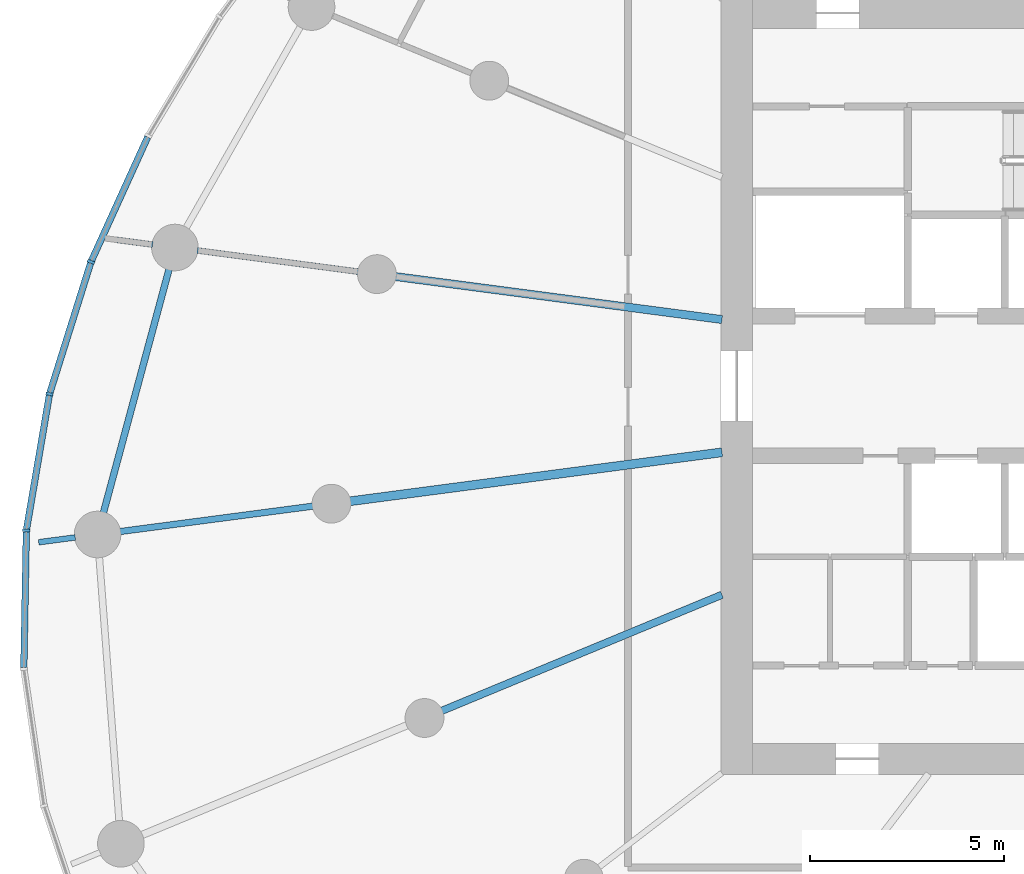
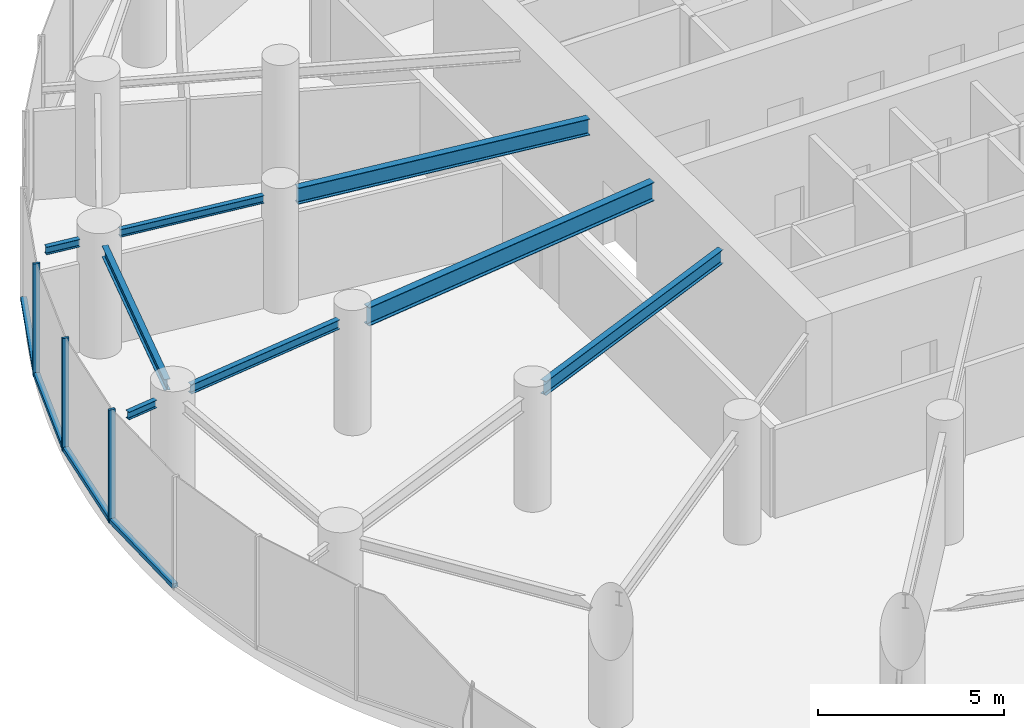
# One storey, part 3 of 18: 8 beams, 7 members, 1 element without a shape of its own.
"""IFC4 building model written with IfcOpenShell, lengths in metres."""

import ifcopenshell
import ifcopenshell.guid

model = None  # the IFC model being written
_history = None  # IfcOwnerHistory: only IFC2X3 demands one
_inside = {}  # id of a spatial element -> (the spatial element, [elements in it])
_under = {}  # id of a project, library or spatial element -> (it, [spatial elements below it])
_declared = {}  # id of a project -> (the project, [libraries it declares])
_typed = {}  # id of a type object -> (the type object, [elements of that type])
_made_of = {}  # id of a material, layer set ... -> (it, [elements and type objects made of it])


def new_model(schema):
    """Start an empty IFC model of exactly this schema.

    Asked for "IFC4X3", IfcOpenShell would pick the latest addendum, in which some entities
    have other attributes; the version numbers below select the first issue.
    IFC2X3 requires an IfcOwnerHistory on every rooted entity: one is made here for all.
    """
    global model, _history
    if schema == "IFC4X3":
        model = ifcopenshell.file(schema_version=(4, 3, 0, 0))
    else:
        model = ifcopenshell.file(schema=schema)
    _inside.clear()
    _under.clear()
    _declared.clear()
    _typed.clear()
    _made_of.clear()
    _history = None
    if model.schema == "IFC2X3":
        org = make("IfcOrganization", Name="unknown")
        user = make(
            "IfcPersonAndOrganization",
            ThePerson=make("IfcPerson", FamilyName="unknown"),
            TheOrganization=org,
        )
        app = make(
            "IfcApplication",
            ApplicationDeveloper=org,
            Version="unknown",
            ApplicationFullName="unknown",
            ApplicationIdentifier="unknown",
        )
        _history = make(
            "IfcOwnerHistory",
            OwningUser=user,
            OwningApplication=app,
            ChangeAction="ADDED",
            CreationDate=0,
        )
    return model


def make(cls, **values):
    """One entity of the class cls with the attributes given. An attribute that is None is left unset."""
    return model.create_entity(
        cls, **{name: value for name, value in values.items() if value is not None}
    )


def rooted(cls, **values):
    """An entity with a GlobalId (a new one), such as an element, a storey or a relation."""
    return make(cls, GlobalId=ifcopenshell.guid.new(), OwnerHistory=_history, **values)


def si_unit(unit_type, name, prefix=None):
    """IfcSIUnit, for example si_unit("LENGTHUNIT", "METRE", prefix="MILLI")."""
    return make("IfcSIUnit", UnitType=unit_type, Prefix=prefix, Name=name)


def assignment(units):
    """IfcUnitAssignment: the units of a project."""
    return None if units is None else make("IfcUnitAssignment", Units=units)


def point(xyz):
    """IfcCartesianPoint."""
    return None if xyz is None else make("IfcCartesianPoint", Coordinates=xyz)


def direction(xyz):
    """IfcDirection."""
    return None if xyz is None else make("IfcDirection", DirectionRatios=xyz)


def frame(location, z_axis=None, x_axis=None):
    """IfcAxis2Placement3D, a coordinate frame: its origin and axes. An axis left out is left unset."""
    return make(
        "IfcAxis2Placement3D",
        Location=point(location),
        Axis=direction(z_axis),
        RefDirection=direction(x_axis),
    )


def frame_2d(location, x_axis=None):
    """IfcAxis2Placement2D, a coordinate frame in the plane: its origin and x axis."""
    return make(
        "IfcAxis2Placement2D", Location=point(location), RefDirection=direction(x_axis)
    )


def origin():
    """The frame at (0, 0, 0) with its axes left unset."""
    return frame((0.0, 0.0, 0.0))


def origin_2d():
    """The frame at (0, 0) in the plane with its x axis left unset."""
    return frame_2d((0.0, 0.0))


def place(relative_to, where):
    """IfcLocalPlacement: puts the frame where relative to a parent placement (None: the world)."""
    return make(
        "IfcLocalPlacement", PlacementRelTo=relative_to, RelativePlacement=where
    )


def context(
    kind, dimensions, precision=None, world=None, true_north=None, identifier=None
):
    """IfcGeometricRepresentationContext, for example the 3D "Model" context."""
    return make(
        "IfcGeometricRepresentationContext",
        ContextIdentifier=identifier,
        ContextType=kind,
        CoordinateSpaceDimension=dimensions,
        Precision=precision,
        WorldCoordinateSystem=world,
        TrueNorth=true_north,
    )


def subcontext(parent, identifier, kind, view, scale=None):
    """IfcGeometricRepresentationSubContext, for example "Body" below "Model"."""
    return make(
        "IfcGeometricRepresentationSubContext",
        ContextIdentifier=identifier,
        ContextType=kind,
        ParentContext=parent,
        TargetScale=scale,
        TargetView=view,
    )


def project(units=None, contexts=None):
    """IfcProject with its units and contexts."""
    return rooted(
        "IfcProject",
        Name="project",
        RepresentationContexts=contexts,
        UnitsInContext=assignment(units),
    )


def spatial(cls, under=None, at=None, **own):
    """A site, building, storey or space (cls), placed at a placement, below another one or the project."""
    s = rooted(cls, ObjectPlacement=at, **own)
    if under is not None:
        _under.setdefault(under.id(), (under, []))[1].append(s)
    return s


def profile(cls, at=None, kind="AREA", **sizes):
    """A parametric profile (cls). Its sizes go by their IFC names, for example OverallWidth=200.0."""
    return make(cls, ProfileType=kind, Position=at, **sizes)


def rectangle(**sizes):
    """IfcRectangleProfileDef."""
    return profile("IfcRectangleProfileDef", **sizes)


def i_section(**sizes):
    """IfcIShapeProfileDef."""
    return profile("IfcIShapeProfileDef", **sizes)


def extrude(swept, where, along, depth):
    """IfcExtrudedAreaSolid: the profile swept, set in the frame where, extruded along a direction by depth."""
    return make(
        "IfcExtrudedAreaSolid",
        SweptArea=swept,
        Position=where,
        ExtrudedDirection=direction(along),
        Depth=depth,
    )


def shape(context_of_items, identifier, shape_type, items):
    """IfcShapeRepresentation: the items that make up one representation, for example the "Body"."""
    return make(
        "IfcShapeRepresentation",
        ContextOfItems=context_of_items,
        RepresentationIdentifier=identifier,
        RepresentationType=shape_type,
        Items=items,
    )


def source(mapping_origin, context_of_items, identifier, shape_type, items):
    """IfcRepresentationMap: a shape defined once, which mapped items show again and again."""
    return make(
        "IfcRepresentationMap",
        MappingOrigin=mapping_origin,
        MappedRepresentation=shape(context_of_items, identifier, shape_type, items),
    )


def transform(
    local_origin,
    x_axis=None,
    y_axis=None,
    z_axis=None,
    scale=None,
    scale2=None,
    scale3=None,
    uniform=True,
):
    """IfcCartesianTransformationOperator3D, or its non-uniform kind. x_axis, y_axis, z_axis: its Axis1, 2, 3."""
    if uniform:
        return make(
            "IfcCartesianTransformationOperator3D",
            Axis1=direction(x_axis),
            Axis2=direction(y_axis),
            LocalOrigin=point(local_origin),
            Scale=scale,
            Axis3=direction(z_axis),
        )
    return make(
        "IfcCartesianTransformationOperator3DnonUniform",
        Axis1=direction(x_axis),
        Axis2=direction(y_axis),
        LocalOrigin=point(local_origin),
        Scale=scale,
        Axis3=direction(z_axis),
        Scale2=scale2,
        Scale3=scale3,
    )


def mapped(mapping_source, mapping_target):
    """IfcMappedItem: shows the shape of a source again, moved by a transform."""
    return make(
        "IfcMappedItem", MappingSource=mapping_source, MappingTarget=mapping_target
    )


def material(Name=None, Category=None):
    """IfcMaterial."""
    return make("IfcMaterial", Name=Name, Category=Category)


def layer(
    of_material, thickness, ventilated=None, Name=None, Category=None, Priority=None
):
    """IfcMaterialLayer: one layer of a wall or slab, of a material (None: an air gap)."""
    return make(
        "IfcMaterialLayer",
        Material=of_material,
        LayerThickness=thickness,
        IsVentilated=ventilated,
        Name=Name,
        Category=Category,
        Priority=Priority,
    )


def layer_set(layers, Name=None):
    """IfcMaterialLayerSet."""
    return make("IfcMaterialLayerSet", MaterialLayers=layers, LayerSetName=Name)


def material_profile(
    of_material, cross_section, Name=None, Category=None, Priority=None
):
    """IfcMaterialProfile: a cross section and its material."""
    return make(
        "IfcMaterialProfile",
        Name=Name,
        Material=of_material,
        Profile=cross_section,
        Priority=Priority,
        Category=Category,
    )


def profile_set(profiles, Name=None, composite=None):
    """IfcMaterialProfileSet."""
    return make(
        "IfcMaterialProfileSet",
        Name=Name,
        MaterialProfiles=profiles,
        CompositeProfile=composite,
    )


def made_of(thing, what):
    """Note that an element or type object is made of a material, layer set ...; save() writes the relation."""
    if what is not None:
        _made_of.setdefault(what.id(), (what, []))[1].append(thing)
    return thing


def type_object(cls, material=None, **own):
    """A type object (cls), such as IfcWallType, which elements share."""
    return made_of(rooted(cls, **own), material)


def element(
    cls,
    number,
    at=None,
    inside=None,
    cuts=None,
    type_object=None,
    material=None,
    context=None,
    identifier="Body",
    shape_type=None,
    held_by="IfcProductDefinitionShape",
    body=None,
    shapes=None,
    **own,
):
    """One element of the class cls, such as IfcWall. Its Tag is "e" and its number.

    at: its placement. inside: the storey or other place that contains it. cuts: it is an
    opening in that element (IfcRelVoidsElement). A single representation is given by context,
    identifier, shape_type and body (its items); several are given by shapes. held_by: the class
    of the entity that holds the representations. save() writes the other relations.
    """
    e = rooted(cls, Tag="e%d" % number, ObjectPlacement=at, **own)
    if body is not None:
        shapes = [shape(context, identifier, shape_type, body)]
    if shapes is not None:
        e.Representation = make(held_by, Representations=shapes)
    if inside is not None:
        _inside.setdefault(inside.id(), (inside, []))[1].append(e)
    if cuts is not None:
        rooted(
            "IfcRelVoidsElement", RelatingBuildingElement=cuts, RelatedOpeningElement=e
        )
    if type_object is not None:
        _typed.setdefault(type_object.id(), (type_object, []))[1].append(e)
    return made_of(e, material)


def aggregate(whole, parts):
    """IfcRelAggregates: a whole, such as a stair, and the parts it consists of."""
    return rooted("IfcRelAggregates", RelatingObject=whole, RelatedObjects=parts)


def save(model, path):
    """Write the relations noted so far, then the file.

    IfcRelAggregates (storeys below a building ...), IfcRelContainedInSpatialStructure (elements
    in a storey), IfcRelDefinesByType, IfcRelAssociatesMaterial and IfcRelDeclares: one each for
    every whole, place, type object, material and project.
    """
    for whole, parts in _under.values():
        aggregate(whole, parts)
    for where, things in _inside.values():
        rooted(
            "IfcRelContainedInSpatialStructure",
            RelatedElements=things,
            RelatingStructure=where,
        )
    for kind, things in _typed.values():
        rooted("IfcRelDefinesByType", RelatedObjects=things, RelatingType=kind)
    for what, things in _made_of.values():
        rooted("IfcRelAssociatesMaterial", RelatedObjects=things, RelatingMaterial=what)
    for by, libraries in _declared.values():
        rooted("IfcRelDeclares", RelatingContext=by, RelatedDefinitions=libraries)
    model.write(path)


model = new_model("IFC4")

# Units and contexts
model_context = context("Model", 3, precision=1e-05, world=origin(), true_north=direction((0.0, 1.0)))
body_context = subcontext(model_context, "Body", "Model", "MODEL_VIEW")
ifc_project = project(units=[si_unit("LENGTHUNIT", "METRE"), si_unit("AREAUNIT", "SQUARE_METRE"), si_unit("VOLUMEUNIT", "CUBIC_METRE"), si_unit("PLANEANGLEUNIT", "RADIAN"), si_unit("MASSUNIT", "GRAM", prefix="KILO")], contexts=[model_context])

# Site, building, storey
site_placement = place(None, origin())
site = spatial("IfcSite", under=ifc_project, at=site_placement, CompositionType="ELEMENT")
building_placement = place(site_placement, origin())
building = spatial("IfcBuilding", under=site, at=building_placement, Name="Spindrift Exchange Tower", CompositionType="ELEMENT")
storey_placement = place(building_placement, frame((0.0, 0.0, 116.699951171875)))
storey = spatial("IfcBuildingStorey", under=building, at=storey_placement, Name="L27", CompositionType="ELEMENT", Elevation=116.699951171875)

# Beams
ifc_material_1 = material(Name="Steel Grade 300", Category="steel")
ifc_material_profile_1 = material_profile(ifc_material_1, i_section(OverallWidth=0.22802734375, OverallDepth=0.60693359375, WebThickness=0.01123046875, FlangeThickness=0.017333984375, FilletRadius=0.013916015625, at=origin_2d()), Name="610UB113")
ifc_profile_set_1 = profile_set([ifc_material_profile_1], Name="Steel Grade 300")
beam_type_1 = type_object("IfcBeamType", Name="Floor Beam 610UB113 Steel Grade 300", PredefinedType="BEAM", material=ifc_profile_set_1)
shared_shape_1 = source(origin(), body_context, "Body", "SweptSolid", [
    extrude(i_section(OverallWidth=0.22802734375, OverallDepth=0.60693359375, WebThickness=0.01123046875, FlangeThickness=0.017333984375, FilletRadius=0.013916015625, at=origin_2d()), origin(), (0.0, 0.0, 1.0), 9.660400390625),
])
beam_1_placement = place(storey_placement, frame((39.019775390625, 46.291015625, 3.396484375), z_axis=(-0.99144767089, -0.130504850054, 0.0), x_axis=(0.130504850054, -0.99144767089, 0.0)))
element("IfcBeam", 1, at=beam_1_placement, inside=storey, type_object=beam_type_1, Name="L27 radial beam R13A", PredefinedType="BEAM", context=body_context, shape_type="MappedRepresentation", body=[
    mapped(shared_shape_1, transform((0.0, 0.0, 0.0), scale=1.0)),
])
ifc_material_profile_2 = material_profile(ifc_material_1, i_section(OverallWidth=0.18994140625, OverallDepth=0.45703125, WebThickness=0.009033203125, FlangeThickness=0.014404296875, FilletRadius=0.013916015625, at=origin_2d()), Name="460UB74.6")
ifc_profile_set_2 = profile_set([ifc_material_profile_2], Name="Steel Grade 300")
beam_type_2 = type_object("IfcBeamType", Name="Floor Beam 460UB74.6 Steel Grade 300", PredefinedType="BEAM", material=ifc_profile_set_2)
shared_shape_2 = source(origin(), body_context, "Body", "SweptSolid", [
    extrude(i_section(OverallWidth=0.18994140625, OverallDepth=0.45703125, WebThickness=0.009033203125, FlangeThickness=0.014404296875, FilletRadius=0.013916015625, at=origin_2d()), origin(), (0.0, 0.0, 1.0), 7.808837890625),
])
beam_2_placement = place(storey_placement, frame((39.0185546875, 42.622802734375, 3.471435546875), z_axis=(-0.92387965154, -0.382683145003, 0.0), x_axis=(0.382683145003, -0.92387965154, 0.0)))
element("IfcBeam", 2, at=beam_2_placement, inside=storey, type_object=beam_type_2, Name="L27 radial beam R14A", PredefinedType="BEAM", context=body_context, shape_type="MappedRepresentation", body=[
    mapped(shared_shape_2, transform((0.0, 0.0, 0.0), scale=1.0)),
])
ifc_material_profile_3 = material_profile(ifc_material_1, i_section(OverallWidth=0.208984375, OverallDepth=0.532958984375, WebThickness=0.01025390625, FlangeThickness=0.015625, FilletRadius=0.013916015625, at=origin_2d()), Name="530UB92.4")
ifc_profile_set_3 = profile_set([ifc_material_profile_3], Name="Steel Grade 300")
beam_type_3 = type_object("IfcBeamType", Name="Floor Beam 530UB92.4 Steel Grade 300", PredefinedType="BEAM", material=ifc_profile_set_3)
shared_shape_3 = source(origin(), body_context, "Body", "SweptSolid", [
    extrude(i_section(OverallWidth=0.208984375, OverallDepth=0.532958984375, WebThickness=0.01025390625, FlangeThickness=0.015625, FilletRadius=0.013916015625, at=origin_2d()), origin(), (0.0, 0.0, 1.0), 8.4794921875),
])
beam_3_placement = place(storey_placement, frame((39.019775390625, 49.708984375, 3.43359375), z_axis=(-0.991446551951, 0.13051335037, 0.0), x_axis=(-0.13051335037, -0.991446551951, 0.0)))
element("IfcBeam", 3, at=beam_3_placement, inside=storey, type_object=beam_type_3, Name="L27 radial beam R12A", PredefinedType="BEAM", context=body_context, shape_type="MappedRepresentation", body=[
    mapped(shared_shape_3, transform((0.0, 0.0, 0.0), scale=1.0)),
])
ifc_material_profile_4 = material_profile(ifc_material_1, i_section(OverallWidth=0.1650390625, OverallDepth=0.303955078125, WebThickness=0.006103515625, FlangeThickness=0.01025390625, FilletRadius=0.011474609375, at=origin_2d()), Name="310UB40.4")
ifc_profile_set_4 = profile_set([ifc_material_profile_4], Name="Steel Grade 300")
beam_type_4 = type_object("IfcBeamType", Name="Floor Beam 310UB40.4 Steel Grade 300", PredefinedType="BEAM", material=ifc_profile_set_4)
shared_shape_4 = source(origin(), body_context, "Body", "SweptSolid", [
    extrude(i_section(OverallWidth=0.1650390625, OverallDepth=0.303955078125, WebThickness=0.006103515625, FlangeThickness=0.01025390625, FilletRadius=0.011474609375, at=origin_2d()), origin(), (0.0, 0.0, 1.0), 5.014404296875),
])
beam_4_placement = place(storey_placement, frame((28.490234375, 44.90478515625, 3.548095703125), z_axis=(-0.99145015202, -0.13048599948, 0.0), x_axis=(0.13048599948, -0.99145015202, 0.0)))
element("IfcBeam", 4, at=beam_4_placement, inside=storey, type_object=beam_type_4, Name="L27 radial beam R13B", PredefinedType="BEAM", context=body_context, shape_type="MappedRepresentation", body=[
    mapped(shared_shape_4, transform((0.0, 0.0, 0.0), scale=1.0)),
])
ifc_material_profile_5 = material_profile(ifc_material_1, i_section(OverallWidth=0.14599609375, OverallDepth=0.251953125, WebThickness=0.006103515625, FlangeThickness=0.008544921875, FilletRadius=0.011962890625, at=origin_2d()), Name="250UB31.4")
ifc_profile_set_5 = profile_set([ifc_material_profile_5], Name="Steel Grade 300")
beam_type_5 = type_object("IfcBeamType", Name="Floor Beam 250UB31.4 Steel Grade 300", PredefinedType="BEAM", material=ifc_profile_set_5)
shared_shape_5 = source(origin(), body_context, "Body", "SweptSolid", [
    extrude(i_section(OverallWidth=0.14599609375, OverallDepth=0.251953125, WebThickness=0.006103515625, FlangeThickness=0.008544921875, FilletRadius=0.011962890625, at=origin_2d()), origin(), (0.0, 0.0, 1.0), 4.186279296875),
])
beam_5_placement = place(storey_placement, frame((29.660888671875, 50.94091796875, 3.573974609375), z_axis=(-0.991445559167, 0.130520891848, 0.0), x_axis=(-0.130520891848, -0.991445559167, 0.0)))
element("IfcBeam", 5, at=beam_5_placement, inside=storey, type_object=beam_type_5, Name="L27 radial beam R12B", PredefinedType="BEAM", context=body_context, shape_type="MappedRepresentation", body=[
    mapped(shared_shape_5, transform((0.0, 0.0, 0.0), scale=1.0)),
])
ifc_material_profile_6 = material_profile(ifc_material_1, i_section(OverallWidth=0.172119140625, OverallDepth=0.35888671875, WebThickness=0.008056640625, FlangeThickness=0.012939453125, FilletRadius=0.013916015625, at=origin_2d()), Name="360UB56.7")
ifc_profile_set_6 = profile_set([ifc_material_profile_6], Name="Steel Grade 300")
beam_type_6 = type_object("IfcBeamType", Name="Edge Beam 360UB56.7 Steel Grade 300", PredefinedType="SPANDREL", material=ifc_profile_set_6)
shared_shape_6 = source(origin(), body_context, "Body", "SweptSolid", [
    extrude(i_section(OverallWidth=0.172119140625, OverallDepth=0.35888671875, WebThickness=0.008056640625, FlangeThickness=0.012939453125, FilletRadius=0.013916015625, at=origin_2d()), origin(), (0.0, 0.0, 1.0), 6.4921875),
])
beam_6_placement = place(storey_placement, frame((24.784423828125, 51.003173828125, 3.5205078125), z_axis=(-0.260262058381, -0.965538016324, 0.0), x_axis=(0.965538016324, -0.260262058381, 0.0)))
element("IfcBeam", 6, at=beam_6_placement, inside=storey, type_object=beam_type_6, Name="L27 edge beam E12", PredefinedType="SPANDREL", context=body_context, shape_type="MappedRepresentation", body=[
    mapped(shared_shape_6, transform((0.0, 0.0, 0.0), scale=1.0)),
])
ifc_material_profile_7 = material_profile(ifc_material_1, i_section(OverallWidth=0.14599609375, OverallDepth=0.251953125, WebThickness=0.006103515625, FlangeThickness=0.008544921875, FilletRadius=0.011962890625, at=origin_2d()), Name="250UB31.4")
ifc_profile_set_7 = profile_set([ifc_material_profile_7], Name="Steel Grade 300")
beam_type_7 = type_object("IfcBeamType", Name="Cantilever Beam 250UB31.4 Steel Grade 300", PredefinedType="BEAM", material=ifc_profile_set_7)
shared_shape_7 = source(origin(), body_context, "Body", "SweptSolid", [
    extrude(i_section(OverallWidth=0.14599609375, OverallDepth=0.251953125, WebThickness=0.006103515625, FlangeThickness=0.008544921875, FilletRadius=0.011962890625, at=origin_2d()), origin(), (0.0, 0.0, 1.0), 0.94970703125),
])
beam_7_placement = place(storey_placement, frame((22.36865234375, 44.09912109375, 3.573974609375), z_axis=(-0.99143766418, -0.130580848692, 0.0), x_axis=(0.130580848692, -0.99143766418, 0.0)))
element("IfcBeam", 7, at=beam_7_placement, inside=storey, type_object=beam_type_7, Name="L27 cantilever beam R13T", PredefinedType="BEAM", context=body_context, shape_type="MappedRepresentation", body=[
    mapped(shared_shape_7, transform((0.0, 0.0, 0.0), scale=1.0)),
])
shared_shape_8 = source(origin(), body_context, "Body", "SweptSolid", [
    extrude(i_section(OverallWidth=0.14599609375, OverallDepth=0.251953125, WebThickness=0.006103515625, FlangeThickness=0.008544921875, FilletRadius=0.011962890625, at=origin_2d()), origin(), (0.0, 0.0, 1.0), 0.983154296875),
])
beam_8_placement = place(storey_placement, frame((24.360595703125, 51.638916015625, 3.573974609375), z_axis=(-0.991466967917, 0.13035816633, 0.0), x_axis=(-0.13035816633, -0.991466967917, 0.0)))
element("IfcBeam", 8, at=beam_8_placement, inside=storey, type_object=beam_type_7, Name="L27 cantilever beam R12T", PredefinedType="BEAM", context=body_context, shape_type="MappedRepresentation", body=[
    mapped(shared_shape_8, transform((0.0, 0.0, 0.0), scale=1.0)),
])

# Curtain wall, members
ifc_material_2 = material(Name="Fritted laminated glass with bronze frame", Category="glass")
ifc_layer = layer(ifc_material_2, 0.18994140625)
ifc_layer_set = layer_set([ifc_layer], Name="ZONE 2 BRONZE FRITTED WALL")
curtain_wall_type = type_object("IfcCurtainWallType", Name="ZONE 2 BRONZE FRITTED WALL", PredefinedType="NOTDEFINED", material=ifc_layer_set)
curtain_wall_placement = place(storey_placement, origin())
curtain_wall = element("IfcCurtainWall", 9, at=curtain_wall_placement, inside=storey, type_object=curtain_wall_type, Name="L27 Zone 2 Bronze Fritted Wall run 4", PredefinedType="NOTDEFINED")
ifc_material_3 = material(Name="Bronze anodised aluminium", Category="aluminium")
ifc_material_profile_8 = material_profile(ifc_material_3, rectangle(XDim=0.074951171875, YDim=0.18994140625, at=origin_2d()), Name="ZONE 2 BRONZE FRITTED WALL MULLION 75X190")
ifc_profile_set_8 = profile_set([ifc_material_profile_8], Name="Bronze anodised aluminium")
member_type_1 = type_object("IfcMemberType", Name="ZONE 2 BRONZE FRITTED WALL MULLION 75X190", PredefinedType="MULLION", material=ifc_profile_set_8)
shared_shape_9 = source(origin(), body_context, "Body", "SweptSolid", [
    extrude(rectangle(XDim=0.074951171875, YDim=0.18994140625, at=origin_2d()), origin(), (0.0, 0.0, 1.0), 3.699951171875),
])
member_1_placement = place(storey_placement, frame((22.774169921875, 51.19482421875, 0.0), z_axis=(0.0, 0.0, 1.0), x_axis=(-0.3573093266, -0.933986105424, 0.0)))
member_1 = element("IfcMember", 10, at=member_1_placement, type_object=member_type_1, Name="L27 mullion CW-2.21", PredefinedType="MULLION", context=body_context, shape_type="MappedRepresentation", body=[
    mapped(shared_shape_9, transform((0.0, 0.0, 0.0), scale=1.0)),
])
member_2_placement = place(storey_placement, frame((21.70703125, 47.79296875, 0.0), z_axis=(0.0, 0.0, 1.0), x_axis=(-0.233970369014, -0.972243727891, 0.0)))
member_2 = element("IfcMember", 11, at=member_2_placement, type_object=member_type_1, Name="L27 mullion CW-2.22", PredefinedType="MULLION", context=body_context, shape_type="MappedRepresentation", body=[
    mapped(shared_shape_9, transform((0.0, 0.0, 0.0), scale=1.0)),
])
member_3_placement = place(storey_placement, frame((21.10986328125, 44.27880859375, 0.0), z_axis=(0.0, 0.0, 1.0), x_axis=(-0.093230938251, -0.995644510934, 0.0)))
member_3 = element("IfcMember", 12, at=member_3_placement, type_object=member_type_1, Name="L27 mullion CW-2.23", PredefinedType="MULLION", context=body_context, shape_type="MappedRepresentation", body=[
    mapped(shared_shape_9, transform((0.0, 0.0, 0.0), scale=1.0)),
])
ifc_material_profile_9 = material_profile(ifc_material_3, rectangle(XDim=0.169921875, YDim=0.139892578125, at=origin_2d()), Name="ZONE 2 BRONZE FRITTED WALL TRANSOM 170X140")
ifc_profile_set_9 = profile_set([ifc_material_profile_9], Name="Bronze anodised aluminium")
member_type_2 = type_object("IfcMemberType", Name="ZONE 2 BRONZE FRITTED WALL TRANSOM 170X140", PredefinedType="USERDEFINED", material=ifc_profile_set_9)
shared_shape_10 = source(origin(), body_context, "Body", "SweptSolid", [
    extrude(rectangle(XDim=0.169921875, YDim=0.139892578125, at=origin_2d()), origin(), (0.0, 0.0, 1.0), 3.490478515625),
])
member_4_placement = place(storey_placement, frame((24.234619140625, 54.406494140625, 0.070068359375), z_axis=(-0.41392414366, -0.91031137711, 0.0), x_axis=(0.91031137711, -0.41392414366, 0.0)))
member_4 = element("IfcMember", 13, at=member_4_placement, type_object=member_type_2, Name="L27 transom CW-2.20", ObjectType="TRANSOM", PredefinedType="USERDEFINED", context=body_context, shape_type="MappedRepresentation", body=[
    mapped(shared_shape_10, transform((0.0, 0.0, 0.0), scale=1.0)),
])
shared_shape_11 = source(origin(), body_context, "Body", "SweptSolid", [
    extrude(rectangle(XDim=0.169921875, YDim=0.139892578125, at=origin_2d()), origin(), (0.0, 0.0, 1.0), 3.489013671875),
])
member_5_placement = place(storey_placement, frame((21.109130859375, 44.2412109375, 0.070068359375), z_axis=(-0.018402649784, -0.999830656902, 0.0), x_axis=(0.999830656902, -0.018402649784, 0.0)))
member_5 = element("IfcMember", 14, at=member_5_placement, type_object=member_type_2, Name="L27 transom CW-2.23", ObjectType="TRANSOM", PredefinedType="USERDEFINED", context=body_context, shape_type="MappedRepresentation", body=[
    mapped(shared_shape_11, transform((0.0, 0.0, 0.0), scale=1.0)),
])
shared_shape_12 = source(origin(), body_context, "Body", "SweptSolid", [
    extrude(rectangle(XDim=0.169921875, YDim=0.139892578125, at=origin_2d()), origin(), (0.0, 0.0, 1.0), 3.48974609375),
])
member_6_placement = place(storey_placement, frame((21.70068359375, 47.756103515625, 0.070068359375), z_axis=(-0.167551977582, -0.985863243461, 0.0), x_axis=(0.985863243461, -0.167551977582, 0.0)))
member_6 = element("IfcMember", 15, at=member_6_placement, type_object=member_type_2, Name="L27 transom CW-2.22", ObjectType="TRANSOM", PredefinedType="USERDEFINED", context=body_context, shape_type="MappedRepresentation", body=[
    mapped(shared_shape_12, transform((0.0, 0.0, 0.0), scale=1.0)),
])
shared_shape_13 = source(origin(), body_context, "Body", "SweptSolid", [
    extrude(rectangle(XDim=0.169921875, YDim=0.139892578125, at=origin_2d()), origin(), (0.0, 0.0, 1.0), 3.489990234375),
])
member_7_placement = place(storey_placement, frame((22.762939453125, 51.158935546875, 0.070068359375), z_axis=(-0.299326338665, -0.954150796772, 0.0), x_axis=(0.954150796772, -0.299326338665, 0.0)))
member_7 = element("IfcMember", 16, at=member_7_placement, type_object=member_type_2, Name="L27 transom CW-2.21", ObjectType="TRANSOM", PredefinedType="USERDEFINED", context=body_context, shape_type="MappedRepresentation", body=[
    mapped(shared_shape_13, transform((0.0, 0.0, 0.0), scale=1.0)),
])
aggregate(curtain_wall, [member_4, member_1, member_7, member_2, member_6, member_3, member_5])

save(model, "model.ifc")
